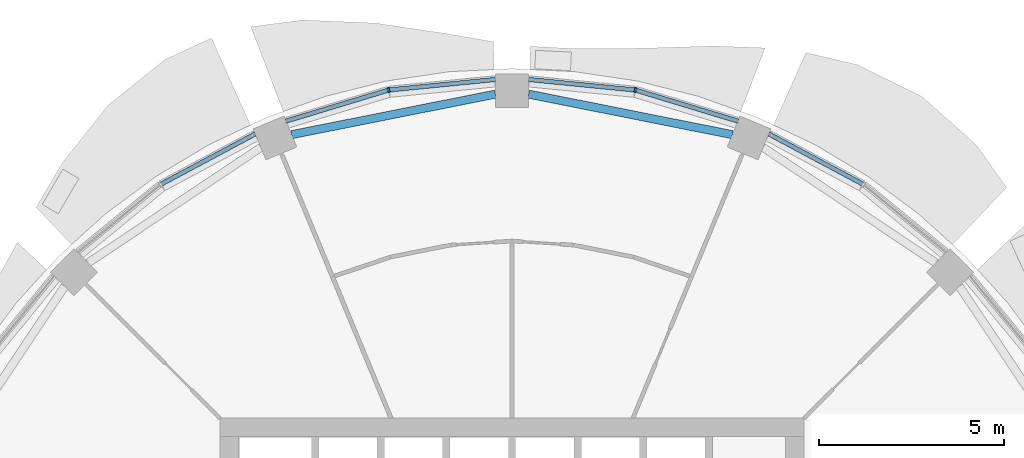
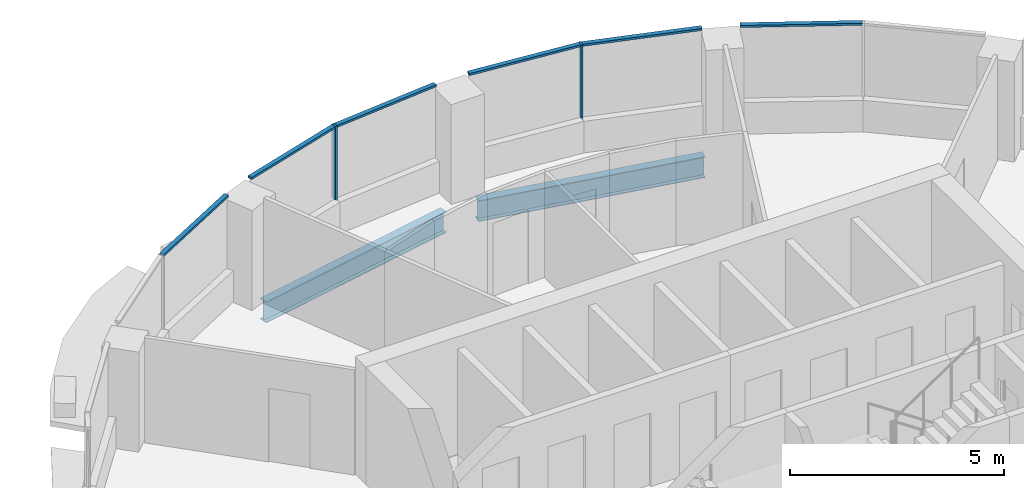
# One storey, part 6 of 15: 8 members, 2 beams, 4 elements without a shape of their own.
"""IFC4 building model written with IfcOpenShell, lengths in metres."""

from ifc_helpers import new_model, si_unit, direction, frame, origin, origin_2d, place, context, subcontext, project, spatial, rectangle, i_section, extrude, material, material_profile, profile_set, type_object, element, aggregate, save


model = new_model("IFC4")

# Units and contexts
model_context = context("Model", 3, precision=1e-05, world=origin(), true_north=direction((0.0, 1.0)))
body_context = subcontext(model_context, "Body", "Model", "MODEL_VIEW")
ifc_project = project(units=[si_unit("LENGTHUNIT", "METRE"), si_unit("AREAUNIT", "SQUARE_METRE"), si_unit("VOLUMEUNIT", "CUBIC_METRE"), si_unit("PLANEANGLEUNIT", "RADIAN"), si_unit("MASSUNIT", "GRAM", prefix="KILO")], contexts=[model_context])

# Site, building, storey
site_placement = place(None, origin())
site = spatial("IfcSite", under=ifc_project, at=site_placement, CompositionType="ELEMENT")
building_placement = place(site_placement, origin())
building = spatial("IfcBuilding", under=site, at=building_placement, Name="Polderwave Tower", CompositionType="ELEMENT")
storey_placement = place(building_placement, frame((0.0, 0.0, 201.050048828125)))
storey = spatial("IfcBuildingStorey", under=building, at=storey_placement, Name="L54", CompositionType="ELEMENT", Elevation=201.050048828125)

# Curtain wall, member
ifc_material_1 = material(Name="Aluminium 6063-T6 and glass", Category="aluminium")
curtain_wall_type = type_object("IfcCurtainWallType", Name="Office ribbon glazing wall", PredefinedType="NOTDEFINED", material=ifc_material_1)
curtain_wall_1_placement = place(storey_placement, origin())
curtain_wall_1 = element("IfcCurtainWall", 1, at=curtain_wall_1_placement, inside=storey, type_object=curtain_wall_type, Name="CW3 L54 03", PredefinedType="NOTDEFINED")
ifc_material_2 = material(Name="Aluminium 6063-T6", Category="aluminium")
ifc_material_profile_1 = material_profile(ifc_material_2, rectangle(XDim=0.139892578125, YDim=0.054931640625, at=origin_2d()), Name="AL 55x140")
ifc_profile_set_1 = profile_set([ifc_material_profile_1], Name="Aluminium 6063-T6")
member_type_1 = type_object("IfcMemberType", Name="Office ribbon glazing mullion 55x140", PredefinedType="MULLION", material=ifc_profile_set_1)
member_1_placement = place(storey_placement, frame((3.325927734375, 16.721923828125, 0.89990234375), z_axis=(0.0, 0.0, 1.0), x_axis=(-0.195205010829, -0.980762460409, 0.0)))
member_1 = element("IfcMember", 2, at=member_1_placement, type_object=member_type_1, Name="CW3 mullion 1", PredefinedType="MULLION", context=body_context, shape_type="SweptSolid", body=[
    extrude(rectangle(XDim=0.139892578125, YDim=0.054931640625, at=origin_2d()), origin(), (0.0, 0.0, 1.0), 2.10009765625),
])

curtain_wall_2_placement = place(storey_placement, origin())
curtain_wall_2 = element("IfcCurtainWall", 3, at=curtain_wall_2_placement, inside=storey, type_object=curtain_wall_type, Name="CW3 L54 04", PredefinedType="NOTDEFINED")
member_2_placement = place(storey_placement, frame((-3.325927734375, 16.721923828125, 0.89990234375), z_axis=(0.0, 0.0, 1.0), x_axis=(0.195205010829, -0.980762460409, 0.0)))
member_2 = element("IfcMember", 4, at=member_2_placement, type_object=member_type_1, Name="CW3 mullion 1", PredefinedType="MULLION", context=body_context, shape_type="SweptSolid", body=[
    extrude(rectangle(XDim=0.139892578125, YDim=0.054931640625, at=origin_2d()), origin(), (0.0, 0.0, 1.0), 2.10009765625),
])

curtain_wall_3_placement = place(storey_placement, origin())
curtain_wall_3 = element("IfcCurtainWall", 5, at=curtain_wall_3_placement, inside=storey, type_object=curtain_wall_type, Name="CW3 L54 02", PredefinedType="NOTDEFINED")
ifc_material_profile_2 = material_profile(ifc_material_2, rectangle(XDim=0.1201171875, YDim=0.06005859375, at=origin_2d()), Name="AL 60x120")
ifc_profile_set_2 = profile_set([ifc_material_profile_2], Name="Aluminium 6063-T6")
member_type_2 = type_object("IfcMemberType", Name="Office ribbon glazing transom 60x120", PredefinedType="USERDEFINED", material=ifc_profile_set_2)
member_3_placement = place(storey_placement, frame((9.44775390625, 14.18994140625, 2.969970703125), z_axis=(-0.881894364311, 0.471447059803, 0.0), x_axis=(-0.471447059803, -0.881894364311, 0.0)))
member_3 = element("IfcMember", 6, at=member_3_placement, type_object=member_type_2, Name="CW3 transom 2", ObjectType="TRANSOM", PredefinedType="USERDEFINED", context=body_context, shape_type="SweptSolid", body=[
    extrude(rectangle(XDim=0.1201171875, YDim=0.06005859375, at=origin_2d()), origin(), (0.0, 0.0, 1.0), 2.861572265625),
])
aggregate(curtain_wall_3, [member_3])

# Member
member_4_placement = place(storey_placement, frame((6.092041015625, 15.883056640625, 2.969970703125), z_axis=(-0.956944042407, 0.290272457704, 0.0), x_axis=(-0.290272457704, -0.956944042407, 0.0)))
member_4 = element("IfcMember", 7, at=member_4_placement, type_object=member_type_2, Name="CW3 transom 1", ObjectType="TRANSOM", PredefinedType="USERDEFINED", context=body_context, shape_type="SweptSolid", body=[
    extrude(rectangle(XDim=0.1201171875, YDim=0.06005859375, at=origin_2d()), origin(), (0.0, 0.0, 1.0), 2.863037109375),
])

member_5_placement = place(storey_placement, frame((3.298583984375, 16.724609375, 2.969970703125), z_axis=(-0.99515304142, 0.098338314772, 0.0), x_axis=(-0.098338314772, -0.99515304142, 0.0)))
member_5 = element("IfcMember", 8, at=member_5_placement, type_object=member_type_2, Name="CW3 transom 2", ObjectType="TRANSOM", PredefinedType="USERDEFINED", context=body_context, shape_type="SweptSolid", body=[
    extrude(rectangle(XDim=0.1201171875, YDim=0.06005859375, at=origin_2d()), origin(), (0.0, 0.0, 1.0), 2.862548828125),
])

aggregate(curtain_wall_1, [member_1, member_4, member_5])

member_6_placement = place(storey_placement, frame((-0.449951171875, 17.006103515625, 2.969970703125), z_axis=(-0.99515304142, -0.098338314772, 0.0), x_axis=(0.098338314772, -0.99515304142, 0.0)))
member_6 = element("IfcMember", 9, at=member_6_placement, type_object=member_type_2, Name="CW3 transom 1", ObjectType="TRANSOM", PredefinedType="USERDEFINED", context=body_context, shape_type="SweptSolid", body=[
    extrude(rectangle(XDim=0.1201171875, YDim=0.06005859375, at=origin_2d()), origin(), (0.0, 0.0, 1.0), 2.862548828125),
])

member_7_placement = place(storey_placement, frame((-3.352294921875, 16.714111328125, 2.969970703125), z_axis=(-0.956944042407, -0.290272457704, 0.0), x_axis=(0.290272457704, -0.956944042407, 0.0)))
member_7 = element("IfcMember", 10, at=member_7_placement, type_object=member_type_2, Name="CW3 transom 2", ObjectType="TRANSOM", PredefinedType="USERDEFINED", context=body_context, shape_type="SweptSolid", body=[
    extrude(rectangle(XDim=0.1201171875, YDim=0.06005859375, at=origin_2d()), origin(), (0.0, 0.0, 1.0), 2.863037109375),
])

aggregate(curtain_wall_2, [member_2, member_6, member_7])

# Curtain wall, member
curtain_wall_4_placement = place(storey_placement, origin())
curtain_wall_4 = element("IfcCurtainWall", 11, at=curtain_wall_4_placement, inside=storey, type_object=curtain_wall_type, Name="CW3 L54 05", PredefinedType="NOTDEFINED")
member_8_placement = place(storey_placement, frame((-6.924072265625, 15.5390625, 2.969970703125), z_axis=(-0.881894364311, -0.471447059803, 0.0), x_axis=(0.471447059803, -0.881894364311, 0.0)))
member_8 = element("IfcMember", 12, at=member_8_placement, type_object=member_type_2, Name="CW3 transom 1", ObjectType="TRANSOM", PredefinedType="USERDEFINED", context=body_context, shape_type="SweptSolid", body=[
    extrude(rectangle(XDim=0.1201171875, YDim=0.06005859375, at=origin_2d()), origin(), (0.0, 0.0, 1.0), 2.861572265625),
])
aggregate(curtain_wall_4, [member_8])

# Beams
ifc_material_3 = material(Name="Steel S355", Category="steel")
ifc_material_profile_3 = material_profile(ifc_material_3, i_section(OverallWidth=0.219970703125, OverallDepth=0.60009765625, WebThickness=0.011962890625, FlangeThickness=0.01904296875, at=origin_2d()), Name="IPE 600")
ifc_profile_set_3 = profile_set([ifc_material_profile_3], Name="Steel S355")
beam_type = type_object("IfcBeamType", Name="RING BEAM IPE 600", PredefinedType="BEAM", material=ifc_profile_set_3)
for number, where, z_axis, x_axis, name in (
    (13, (5.94091796875, 15.518310546875, -0.650146484375), (-0.980783094673, 0.195101310105, 0.0), (-0.195101310105, -0.980783094673, 0.0), "ST-RB-L54-03"),
    (14, (-0.449951171875, 16.610595703125, -0.650146484375), (-0.980783094673, -0.195101310105, 0.0), (0.195101310105, -0.980783094673, 0.0), "ST-RB-L54-04"),
):
    element("IfcBeam", number, at=place(storey_placement, frame(where, z_axis=z_axis, x_axis=x_axis)), inside=storey, type_object=beam_type, Name=name, PredefinedType="BEAM", context=body_context, shape_type="SweptSolid", body=[
        extrude(i_section(OverallWidth=0.219970703125, OverallDepth=0.60009765625, WebThickness=0.011962890625, FlangeThickness=0.01904296875, at=origin_2d()), origin(), (0.0, 0.0, 1.0), 5.5986328125),
    ])

save(model, "model.ifc")
